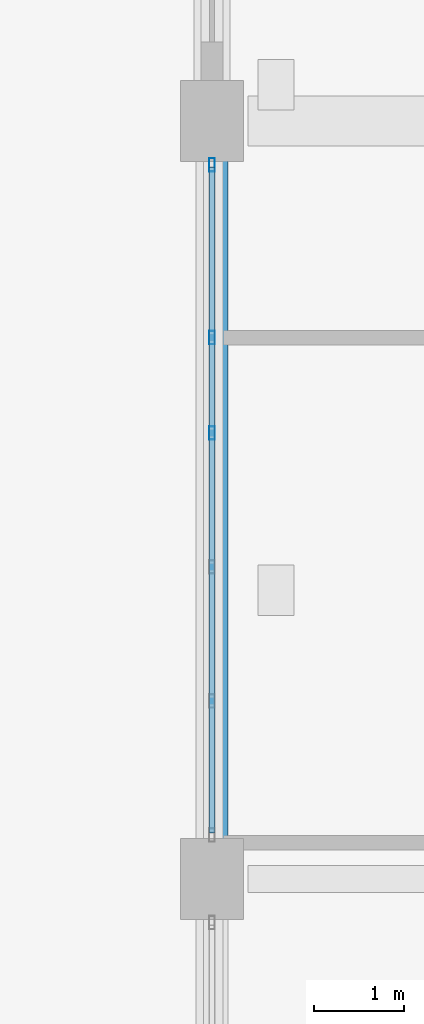
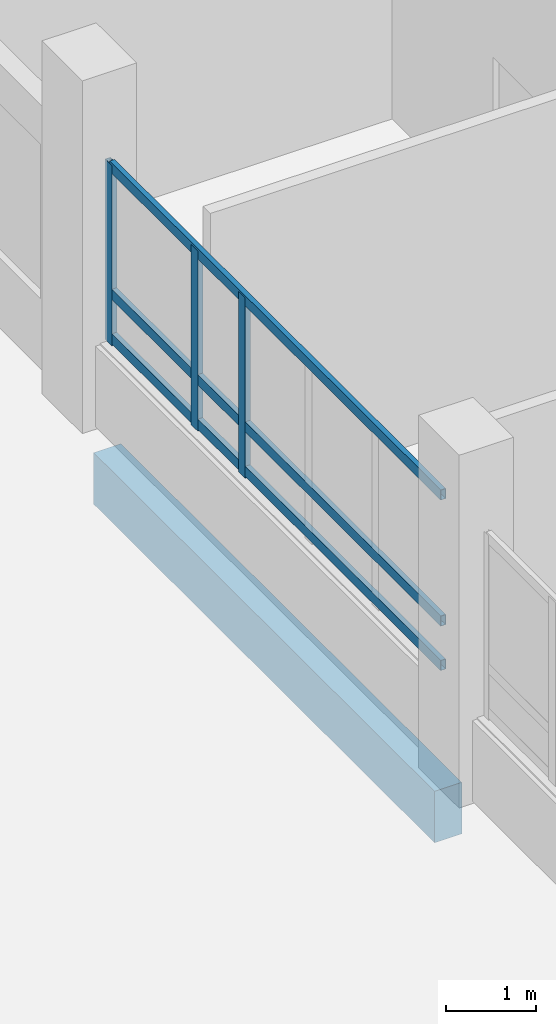
# One storey, part 37 of 95: 6 members, 1 beam, 1 element without a shape of its own.
"""IFC4 building model written with IfcOpenShell, lengths in metres."""

from ifc_helpers import new_model, si_unit, direction, frame, origin, origin_2d, place, context, subcontext, project, spatial, rectangle, hollow_rectangle, extrude, material, layer, layer_set, material_profile, profile_set, type_object, element, aggregate, save


model = new_model("IFC4")

# Units and contexts
model_context = context("Model", 3, precision=1e-05, world=origin(), true_north=direction((0.0, 1.0)))
body_context = subcontext(model_context, "Body", "Model", "MODEL_VIEW")
ifc_project = project(units=[si_unit("LENGTHUNIT", "METRE"), si_unit("AREAUNIT", "SQUARE_METRE"), si_unit("VOLUMEUNIT", "CUBIC_METRE"), si_unit("PLANEANGLEUNIT", "RADIAN"), si_unit("MASSUNIT", "GRAM", prefix="KILO")], contexts=[model_context])

# Site, building, storey
site_placement = place(None, origin())
site = spatial("IfcSite", under=ifc_project, at=site_placement, CompositionType="ELEMENT")
building_placement = place(site_placement, origin())
building = spatial("IfcBuilding", under=site, at=building_placement, Name="Vireocrest Preparatory School", CompositionType="ELEMENT")
storey_placement = place(building_placement, origin())
storey = spatial("IfcBuildingStorey", under=building, at=storey_placement, Name="L00", CompositionType="ELEMENT", Elevation=0.0)

# Curtain wall, members
ifc_material_1 = material(Name="Thermally broken aluminium EN AW-6063-T6", Category="aluminium")
ifc_layer = layer(ifc_material_1, 0.179931640625)
ifc_layer_set = layer_set([ifc_layer], Name="Thermally broken aluminium EN AW-6063-T6")
curtain_wall_type = type_object("IfcCurtainWallType", Name="Court Banded Curtain Wall 8400x3600", PredefinedType="USERDEFINED", material=ifc_layer_set)
curtain_wall_placement = place(storey_placement, origin())
curtain_wall = element("IfcCurtainWall", 1, at=curtain_wall_placement, inside=storey, type_object=curtain_wall_type, Name="Curtain Wall CW01 CW_L00_CW01_0924_0442_012", ObjectType="CURTAIN WALL", PredefinedType="USERDEFINED")
ifc_material_profile_1 = material_profile(ifc_material_1, hollow_rectangle(XDim=0.06494140625, YDim=0.14990234375, WallThickness=0.00390625, at=origin_2d()), Name="ALU 65x150x4")
ifc_profile_set_1 = profile_set([ifc_material_profile_1], Name="Thermally broken aluminium EN AW-6063-T6")
member_type_1 = type_object("IfcMemberType", Name="CW Mullion 65x150x4", PredefinedType="MULLION", material=ifc_profile_set_1)
member_1_placement = place(storey_placement, frame((92.39990234375, 48.742919921875, 1.14990234375), z_axis=(0.0, 0.0, 1.0), x_axis=(1.0, 0.0, 0.0)))
member_1 = element("IfcMember", 2, at=member_1_placement, type_object=member_type_1, Name="CW Mullion ML1 CW_L00_CW01_0924_0442_012-4", PredefinedType="MULLION", context=body_context, shape_type="SweptSolid", body=[
    extrude(hollow_rectangle(XDim=0.06494140625, YDim=0.14990234375, WallThickness=0.00390625, at=origin_2d()), origin(), (0.0, 0.0, 1.0), 2.455078125),
])
member_2_placement = place(storey_placement, frame((92.39990234375, 49.800048828125, 1.14990234375), z_axis=(0.0, 0.0, 1.0), x_axis=(1.0, 0.0, 0.0)))
member_2 = element("IfcMember", 3, at=member_2_placement, type_object=member_type_1, Name="CW Mullion ML1 CW_L00_CW01_0924_0442_012-5", PredefinedType="MULLION", context=body_context, shape_type="SweptSolid", body=[
    extrude(hollow_rectangle(XDim=0.06494140625, YDim=0.14990234375, WallThickness=0.00390625, at=origin_2d()), origin(), (0.0, 0.0, 1.0), 2.455078125),
])
member_3_placement = place(storey_placement, frame((92.39990234375, 51.715087890625, 1.14990234375), z_axis=(0.0, 0.0, 1.0), x_axis=(1.0, 0.0, 0.0)))
member_3 = element("IfcMember", 4, at=member_3_placement, type_object=member_type_1, Name="CW Mullion ML1 CW_L00_CW01_0924_0442_012-6", PredefinedType="MULLION", context=body_context, shape_type="SweptSolid", body=[
    extrude(hollow_rectangle(XDim=0.06494140625, YDim=0.14990234375, WallThickness=0.00390625, at=origin_2d()), origin(), (0.0, 0.0, 1.0), 2.455078125),
])
ifc_material_profile_2 = material_profile(ifc_material_1, hollow_rectangle(XDim=0.06494140625, YDim=0.139892578125, WallThickness=0.00390625, at=origin_2d()), Name="ALU 65x140x4")
ifc_profile_set_2 = profile_set([ifc_material_profile_2], Name="Thermally broken aluminium EN AW-6063-T6")
member_type_2 = type_object("IfcMemberType", Name="CW Transom 65x140x4", PredefinedType="USERDEFINED", material=ifc_profile_set_2)
member_4_placement = place(storey_placement, frame((92.39990234375, 44.31005859375, 1.2451171875), z_axis=(0.0, 1.0, 0.0), x_axis=(-1.0, 0.0, 0.0)))
member_4 = element("IfcMember", 5, at=member_4_placement, type_object=member_type_2, Name="CW Transom TR1 CW_L00_CW01_0924_0442_012-1", ObjectType="TRANSOM", PredefinedType="USERDEFINED", context=body_context, shape_type="SweptSolid", body=[
    extrude(hollow_rectangle(XDim=0.06494140625, YDim=0.139892578125, WallThickness=0.00390625, at=origin_2d()), origin(), (0.0, 0.0, 1.0), 7.3798828125),
])
member_5_placement = place(storey_placement, frame((92.39990234375, 44.31005859375, 1.85009765625), z_axis=(0.0, 1.0, 0.0), x_axis=(-1.0, 0.0, 0.0)))
member_5 = element("IfcMember", 6, at=member_5_placement, type_object=member_type_2, Name="CW Transom TR1 CW_L00_CW01_0924_0442_012-2", ObjectType="TRANSOM", PredefinedType="USERDEFINED", context=body_context, shape_type="SweptSolid", body=[
    extrude(hollow_rectangle(XDim=0.06494140625, YDim=0.139892578125, WallThickness=0.00390625, at=origin_2d()), origin(), (0.0, 0.0, 1.0), 7.3798828125),
])
member_6_placement = place(storey_placement, frame((92.39990234375, 44.31005859375, 3.56494140625), z_axis=(0.0, 1.0, 0.0), x_axis=(-1.0, 0.0, 0.0)))
member_6 = element("IfcMember", 7, at=member_6_placement, type_object=member_type_2, Name="CW Transom TR1 CW_L00_CW01_0924_0442_012-3", ObjectType="TRANSOM", PredefinedType="USERDEFINED", context=body_context, shape_type="SweptSolid", body=[
    extrude(hollow_rectangle(XDim=0.06494140625, YDim=0.139892578125, WallThickness=0.00390625, at=origin_2d()), origin(), (0.0, 0.0, 1.0), 7.3798828125),
])
aggregate(curtain_wall, [member_1, member_2, member_3, member_4, member_5, member_6])

# Beam
ifc_material_2 = material(Name="Concrete 40 MPa", Category="concrete")
ifc_material_profile_3 = material_profile(ifc_material_2, rectangle(XDim=0.35009765625, YDim=0.699951171875, at=origin_2d()), Name="RC 350x700")
ifc_profile_set_3 = profile_set([ifc_material_profile_3], Name="Concrete 40 MPa")
beam_type = type_object("IfcBeamType", Name="RC Laboratory Girder 350x700", PredefinedType="BEAM", material=ifc_profile_set_3)
beam_placement = place(storey_placement, frame((92.39990234375, 44.199951171875, -0.699951171875), z_axis=(0.0, 1.0, 0.0), x_axis=(-1.0, 0.0, 0.0)))
element("IfcBeam", 8, at=beam_placement, inside=storey, type_object=beam_type, Name="Primary Girder B06 L00-0197", PredefinedType="BEAM", context=body_context, shape_type="SweptSolid", body=[
    extrude(rectangle(XDim=0.35009765625, YDim=0.699951171875, at=origin_2d()), origin(), (0.0, 0.0, 1.0), 7.60009765625),
])

save(model, "model.ifc")
